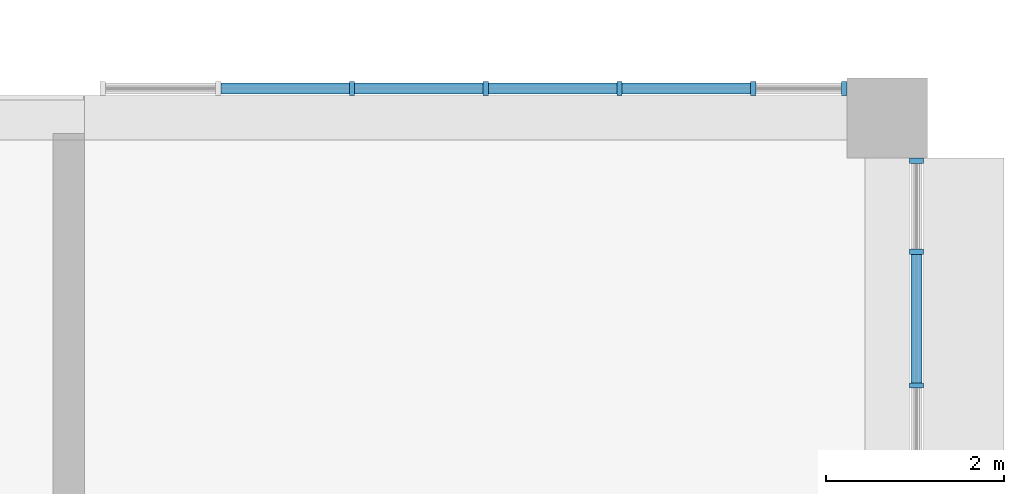
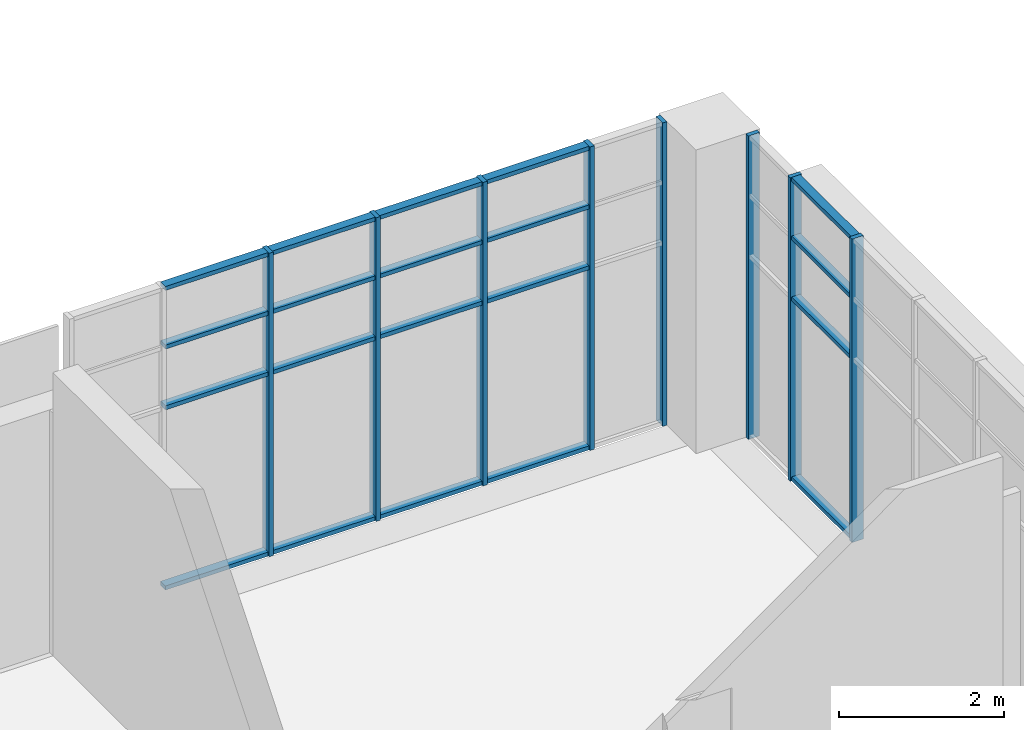
# One storey, part 37 of 79: 28 members, 2 elements without a shape of their own.
"""IFC4 building model written with IfcOpenShell, lengths in metres."""

from ifc_helpers import new_model, si_unit, direction, frame, origin, origin_2d, place, context, subcontext, project, spatial, rectangle, extrude, material, layer, layer_set, material_profile, profile_set, type_object, element, aggregate, save


model = new_model("IFC4")

# Units and contexts
model_context = context("Model", 3, precision=1e-05, world=origin(), true_north=direction((0.0, 1.0)))
body_context = subcontext(model_context, "Body", "Model", "MODEL_VIEW")
ifc_project = project(units=[si_unit("LENGTHUNIT", "METRE"), si_unit("AREAUNIT", "SQUARE_METRE"), si_unit("VOLUMEUNIT", "CUBIC_METRE"), si_unit("PLANEANGLEUNIT", "RADIAN"), si_unit("MASSUNIT", "GRAM", prefix="KILO")], contexts=[model_context])

# Site, building, storey
site_placement = place(None, origin())
site = spatial("IfcSite", under=ifc_project, at=site_placement, CompositionType="ELEMENT")
building_placement = place(site_placement, origin())
building = spatial("IfcBuilding", under=site, at=building_placement, Name="Guidao Yard Department Store", CompositionType="ELEMENT")
storey_placement = place(building_placement, frame((0.0, 0.0, 15.0)))
storey = spatial("IfcBuildingStorey", under=building, at=storey_placement, Name="L03", CompositionType="ELEMENT", Elevation=15.0)

# Curtain wall, members
ifc_material_1 = material(Name="Aluminium and glass", Category="aluminium")
ifc_layer = layer(ifc_material_1, 0.159912109375)
ifc_layer_set = layer_set([ifc_layer], Name="Unitised curtain wall CW4 1500 module")
curtain_wall_type = type_object("IfcCurtainWallType", Name="Unitised curtain wall CW4 1500 module", PredefinedType="NOTDEFINED", material=ifc_layer_set)
curtain_wall_1_placement = place(storey_placement, origin())
curtain_wall_1 = element("IfcCurtainWall", 1, at=curtain_wall_1_placement, inside=storey, type_object=curtain_wall_type, Name="Unitised curtain wall", PredefinedType="NOTDEFINED")
ifc_material_2 = material(Name="Aluminium 6063-T5", Category="aluminium")
ifc_material_profile_1 = material_profile(ifc_material_2, rectangle(XDim=0.06005859375, YDim=0.159912109375, at=origin_2d()), Name="Mullion M1 60 x 160 aluminium pressure plate")
ifc_profile_set_1 = profile_set([ifc_material_profile_1], Name="Aluminium 6063-T5")
member_type_1 = type_object("IfcMemberType", Name="Mullion M1 60 x 160 aluminium pressure plate", PredefinedType="MULLION", material=ifc_profile_set_1)
member_1_placement = place(storey_placement, frame((165.0, 27.330078125, 0.0), z_axis=(0.0, 0.0, 1.0), x_axis=(1.0, 0.0, 0.0)))
member_1 = element("IfcMember", 2, at=member_1_placement, type_object=member_type_1, Name="CW-OW-L03-08 mullion 3", PredefinedType="MULLION", context=body_context, shape_type="SweptSolid", body=[
    extrude(rectangle(XDim=0.06005859375, YDim=0.159912109375, at=origin_2d()), origin(), (0.0, 0.0, 1.0), 4.5),
])
member_2_placement = place(storey_placement, frame((166.5, 27.330078125, 0.0), z_axis=(0.0, 0.0, 1.0), x_axis=(1.0, 0.0, 0.0)))
member_2 = element("IfcMember", 3, at=member_2_placement, type_object=member_type_1, Name="CW-OW-L03-08 mullion 4", PredefinedType="MULLION", context=body_context, shape_type="SweptSolid", body=[
    extrude(rectangle(XDim=0.06005859375, YDim=0.159912109375, at=origin_2d()), origin(), (0.0, 0.0, 1.0), 4.5),
])
member_3_placement = place(storey_placement, frame((168.0, 27.330078125, 0.0), z_axis=(0.0, 0.0, 1.0), x_axis=(1.0, 0.0, 0.0)))
member_3 = element("IfcMember", 4, at=member_3_placement, type_object=member_type_1, Name="CW-OW-L03-08 mullion 5", PredefinedType="MULLION", context=body_context, shape_type="SweptSolid", body=[
    extrude(rectangle(XDim=0.06005859375, YDim=0.159912109375, at=origin_2d()), origin(), (0.0, 0.0, 1.0), 4.5),
])
member_4_placement = place(storey_placement, frame((169.5, 27.330078125, 0.0), z_axis=(0.0, 0.0, 1.0), x_axis=(1.0, 0.0, 0.0)))
member_4 = element("IfcMember", 5, at=member_4_placement, type_object=member_type_1, Name="CW-OW-L03-08 mullion 6", PredefinedType="MULLION", context=body_context, shape_type="SweptSolid", body=[
    extrude(rectangle(XDim=0.06005859375, YDim=0.159912109375, at=origin_2d()), origin(), (0.0, 0.0, 1.0), 4.5),
])
member_5_placement = place(storey_placement, frame((170.52001953125, 27.330078125, 0.0), z_axis=(0.0, 0.0, 1.0), x_axis=(1.0, 0.0, 0.0)))
member_5 = element("IfcMember", 6, at=member_5_placement, type_object=member_type_1, Name="CW-OW-L03-08 mullion 7", PredefinedType="MULLION", context=body_context, shape_type="SweptSolid", body=[
    extrude(rectangle(XDim=0.06005859375, YDim=0.159912109375, at=origin_2d()), origin(), (0.0, 0.0, 1.0), 4.5),
])

curtain_wall_2_placement = place(storey_placement, origin())
curtain_wall_2 = element("IfcCurtainWall", 7, at=curtain_wall_2_placement, inside=storey, type_object=curtain_wall_type, Name="Unitised curtain wall", PredefinedType="NOTDEFINED")
member_6_placement = place(storey_placement, frame((171.330078125, 24.0, 0.0), z_axis=(0.0, 0.0, 1.0), x_axis=(0.0, -1.0, 0.0)))
member_6 = element("IfcMember", 8, at=member_6_placement, type_object=member_type_1, Name="CW-OW-L03-11 mullion 5", PredefinedType="MULLION", context=body_context, shape_type="SweptSolid", body=[
    extrude(rectangle(XDim=0.06005859375, YDim=0.159912109375, at=origin_2d()), origin(), (0.0, 0.0, 1.0), 4.5),
])
member_7_placement = place(storey_placement, frame((171.330078125, 25.5, 0.0), z_axis=(0.0, 0.0, 1.0), x_axis=(0.0, -1.0, 0.0)))
member_7 = element("IfcMember", 9, at=member_7_placement, type_object=member_type_1, Name="CW-OW-L03-11 mullion 6", PredefinedType="MULLION", context=body_context, shape_type="SweptSolid", body=[
    extrude(rectangle(XDim=0.06005859375, YDim=0.159912109375, at=origin_2d()), origin(), (0.0, 0.0, 1.0), 4.5),
])
member_8_placement = place(storey_placement, frame((171.330078125, 26.52001953125, 0.0), z_axis=(0.0, 0.0, 1.0), x_axis=(0.0, -1.0, 0.0)))
member_8 = element("IfcMember", 10, at=member_8_placement, type_object=member_type_1, Name="CW-OW-L03-11 mullion 7", PredefinedType="MULLION", context=body_context, shape_type="SweptSolid", body=[
    extrude(rectangle(XDim=0.06005859375, YDim=0.159912109375, at=origin_2d()), origin(), (0.0, 0.0, 1.0), 4.5),
])

# Member
ifc_material_3 = material(Name="Aluminium 6063-T5", Category="aluminium")
ifc_material_profile_2 = material_profile(ifc_material_3, rectangle(XDim=0.1201171875, YDim=0.06005859375, at=origin_2d()), Name="Transom T1 60 x 120 aluminium pressure plate")
ifc_profile_set_2 = profile_set([ifc_material_profile_2], Name="Aluminium 6063-T5")
member_type_2 = type_object("IfcMemberType", Name="Transom T1 60 x 120 aluminium pressure plate", PredefinedType="USERDEFINED", material=ifc_profile_set_2)
member_9_placement = place(storey_placement, frame((163.530029296875, 27.330078125, 0.030029296875), z_axis=(1.0, 0.0, 0.0), x_axis=(0.0, 1.0, 0.0)))
member_9 = element("IfcMember", 11, at=member_9_placement, type_object=member_type_2, Name="CW-OW-L03-08 transom 2.1", ObjectType="TRANSOM", PredefinedType="USERDEFINED", context=body_context, shape_type="SweptSolid", body=[
    extrude(rectangle(XDim=0.1201171875, YDim=0.06005859375, at=origin_2d()), origin(), (0.0, 0.0, 1.0), 1.43994140625),
])

member_10_placement = place(storey_placement, frame((163.530029296875, 27.330078125, 2.699951171875), z_axis=(1.0, 0.0, 0.0), x_axis=(0.0, 1.0, 0.0)))
member_10 = element("IfcMember", 12, at=member_10_placement, type_object=member_type_2, Name="CW-OW-L03-08 transom 2.2", ObjectType="TRANSOM", PredefinedType="USERDEFINED", context=body_context, shape_type="SweptSolid", body=[
    extrude(rectangle(XDim=0.1201171875, YDim=0.06005859375, at=origin_2d()), origin(), (0.0, 0.0, 1.0), 1.43994140625),
])

member_11_placement = place(storey_placement, frame((163.530029296875, 27.330078125, 3.60009765625), z_axis=(1.0, 0.0, 0.0), x_axis=(0.0, 1.0, 0.0)))
member_11 = element("IfcMember", 13, at=member_11_placement, type_object=member_type_2, Name="CW-OW-L03-08 transom 2.3", ObjectType="TRANSOM", PredefinedType="USERDEFINED", context=body_context, shape_type="SweptSolid", body=[
    extrude(rectangle(XDim=0.1201171875, YDim=0.06005859375, at=origin_2d()), origin(), (0.0, 0.0, 1.0), 1.43994140625),
])

member_12_placement = place(storey_placement, frame((163.530029296875, 27.330078125, 4.469970703125), z_axis=(1.0, 0.0, 0.0), x_axis=(0.0, 1.0, 0.0)))
member_12 = element("IfcMember", 14, at=member_12_placement, type_object=member_type_2, Name="CW-OW-L03-08 transom 2.4", ObjectType="TRANSOM", PredefinedType="USERDEFINED", context=body_context, shape_type="SweptSolid", body=[
    extrude(rectangle(XDim=0.1201171875, YDim=0.06005859375, at=origin_2d()), origin(), (0.0, 0.0, 1.0), 1.43994140625),
])

member_13_placement = place(storey_placement, frame((165.030029296875, 27.330078125, 0.030029296875), z_axis=(1.0, 0.0, 0.0), x_axis=(0.0, 1.0, 0.0)))
member_13 = element("IfcMember", 15, at=member_13_placement, type_object=member_type_2, Name="CW-OW-L03-08 transom 3.1", ObjectType="TRANSOM", PredefinedType="USERDEFINED", context=body_context, shape_type="SweptSolid", body=[
    extrude(rectangle(XDim=0.1201171875, YDim=0.06005859375, at=origin_2d()), origin(), (0.0, 0.0, 1.0), 1.43994140625),
])

member_14_placement = place(storey_placement, frame((165.030029296875, 27.330078125, 2.699951171875), z_axis=(1.0, 0.0, 0.0), x_axis=(0.0, 1.0, 0.0)))
member_14 = element("IfcMember", 16, at=member_14_placement, type_object=member_type_2, Name="CW-OW-L03-08 transom 3.2", ObjectType="TRANSOM", PredefinedType="USERDEFINED", context=body_context, shape_type="SweptSolid", body=[
    extrude(rectangle(XDim=0.1201171875, YDim=0.06005859375, at=origin_2d()), origin(), (0.0, 0.0, 1.0), 1.43994140625),
])

member_15_placement = place(storey_placement, frame((165.030029296875, 27.330078125, 3.60009765625), z_axis=(1.0, 0.0, 0.0), x_axis=(0.0, 1.0, 0.0)))
member_15 = element("IfcMember", 17, at=member_15_placement, type_object=member_type_2, Name="CW-OW-L03-08 transom 3.3", ObjectType="TRANSOM", PredefinedType="USERDEFINED", context=body_context, shape_type="SweptSolid", body=[
    extrude(rectangle(XDim=0.1201171875, YDim=0.06005859375, at=origin_2d()), origin(), (0.0, 0.0, 1.0), 1.43994140625),
])

member_16_placement = place(storey_placement, frame((165.030029296875, 27.330078125, 4.469970703125), z_axis=(1.0, 0.0, 0.0), x_axis=(0.0, 1.0, 0.0)))
member_16 = element("IfcMember", 18, at=member_16_placement, type_object=member_type_2, Name="CW-OW-L03-08 transom 3.4", ObjectType="TRANSOM", PredefinedType="USERDEFINED", context=body_context, shape_type="SweptSolid", body=[
    extrude(rectangle(XDim=0.1201171875, YDim=0.06005859375, at=origin_2d()), origin(), (0.0, 0.0, 1.0), 1.43994140625),
])

member_17_placement = place(storey_placement, frame((166.530029296875, 27.330078125, 0.030029296875), z_axis=(1.0, 0.0, 0.0), x_axis=(0.0, 1.0, 0.0)))
member_17 = element("IfcMember", 19, at=member_17_placement, type_object=member_type_2, Name="CW-OW-L03-08 transom 4.1", ObjectType="TRANSOM", PredefinedType="USERDEFINED", context=body_context, shape_type="SweptSolid", body=[
    extrude(rectangle(XDim=0.1201171875, YDim=0.06005859375, at=origin_2d()), origin(), (0.0, 0.0, 1.0), 1.43994140625),
])

member_18_placement = place(storey_placement, frame((166.530029296875, 27.330078125, 2.699951171875), z_axis=(1.0, 0.0, 0.0), x_axis=(0.0, 1.0, 0.0)))
member_18 = element("IfcMember", 20, at=member_18_placement, type_object=member_type_2, Name="CW-OW-L03-08 transom 4.2", ObjectType="TRANSOM", PredefinedType="USERDEFINED", context=body_context, shape_type="SweptSolid", body=[
    extrude(rectangle(XDim=0.1201171875, YDim=0.06005859375, at=origin_2d()), origin(), (0.0, 0.0, 1.0), 1.43994140625),
])

member_19_placement = place(storey_placement, frame((166.530029296875, 27.330078125, 3.60009765625), z_axis=(1.0, 0.0, 0.0), x_axis=(0.0, 1.0, 0.0)))
member_19 = element("IfcMember", 21, at=member_19_placement, type_object=member_type_2, Name="CW-OW-L03-08 transom 4.3", ObjectType="TRANSOM", PredefinedType="USERDEFINED", context=body_context, shape_type="SweptSolid", body=[
    extrude(rectangle(XDim=0.1201171875, YDim=0.06005859375, at=origin_2d()), origin(), (0.0, 0.0, 1.0), 1.43994140625),
])

member_20_placement = place(storey_placement, frame((166.530029296875, 27.330078125, 4.469970703125), z_axis=(1.0, 0.0, 0.0), x_axis=(0.0, 1.0, 0.0)))
member_20 = element("IfcMember", 22, at=member_20_placement, type_object=member_type_2, Name="CW-OW-L03-08 transom 4.4", ObjectType="TRANSOM", PredefinedType="USERDEFINED", context=body_context, shape_type="SweptSolid", body=[
    extrude(rectangle(XDim=0.1201171875, YDim=0.06005859375, at=origin_2d()), origin(), (0.0, 0.0, 1.0), 1.43994140625),
])

member_21_placement = place(storey_placement, frame((168.030029296875, 27.330078125, 0.030029296875), z_axis=(1.0, 0.0, 0.0), x_axis=(0.0, 1.0, 0.0)))
member_21 = element("IfcMember", 23, at=member_21_placement, type_object=member_type_2, Name="CW-OW-L03-08 transom 5.1", ObjectType="TRANSOM", PredefinedType="USERDEFINED", context=body_context, shape_type="SweptSolid", body=[
    extrude(rectangle(XDim=0.1201171875, YDim=0.06005859375, at=origin_2d()), origin(), (0.0, 0.0, 1.0), 1.43994140625),
])

member_22_placement = place(storey_placement, frame((168.030029296875, 27.330078125, 2.699951171875), z_axis=(1.0, 0.0, 0.0), x_axis=(0.0, 1.0, 0.0)))
member_22 = element("IfcMember", 24, at=member_22_placement, type_object=member_type_2, Name="CW-OW-L03-08 transom 5.2", ObjectType="TRANSOM", PredefinedType="USERDEFINED", context=body_context, shape_type="SweptSolid", body=[
    extrude(rectangle(XDim=0.1201171875, YDim=0.06005859375, at=origin_2d()), origin(), (0.0, 0.0, 1.0), 1.43994140625),
])

member_23_placement = place(storey_placement, frame((168.030029296875, 27.330078125, 3.60009765625), z_axis=(1.0, 0.0, 0.0), x_axis=(0.0, 1.0, 0.0)))
member_23 = element("IfcMember", 25, at=member_23_placement, type_object=member_type_2, Name="CW-OW-L03-08 transom 5.3", ObjectType="TRANSOM", PredefinedType="USERDEFINED", context=body_context, shape_type="SweptSolid", body=[
    extrude(rectangle(XDim=0.1201171875, YDim=0.06005859375, at=origin_2d()), origin(), (0.0, 0.0, 1.0), 1.43994140625),
])

member_24_placement = place(storey_placement, frame((168.030029296875, 27.330078125, 4.469970703125), z_axis=(1.0, 0.0, 0.0), x_axis=(0.0, 1.0, 0.0)))
member_24 = element("IfcMember", 26, at=member_24_placement, type_object=member_type_2, Name="CW-OW-L03-08 transom 5.4", ObjectType="TRANSOM", PredefinedType="USERDEFINED", context=body_context, shape_type="SweptSolid", body=[
    extrude(rectangle(XDim=0.1201171875, YDim=0.06005859375, at=origin_2d()), origin(), (0.0, 0.0, 1.0), 1.43994140625),
])

aggregate(curtain_wall_1, [member_1, member_2, member_3, member_4, member_5, member_9, member_10, member_11, member_12, member_13, member_14, member_15, member_16, member_17, member_18, member_19, member_20, member_21, member_22, member_23, member_24])

member_25_placement = place(storey_placement, frame((171.330078125, 25.469970703125, 0.030029296875), z_axis=(0.0, -1.0, 0.0), x_axis=(1.0, 0.0, 0.0)))
member_25 = element("IfcMember", 27, at=member_25_placement, type_object=member_type_2, Name="CW-OW-L03-11 transom 5.1", ObjectType="TRANSOM", PredefinedType="USERDEFINED", context=body_context, shape_type="SweptSolid", body=[
    extrude(rectangle(XDim=0.1201171875, YDim=0.06005859375, at=origin_2d()), origin(), (0.0, 0.0, 1.0), 1.43994140625),
])

member_26_placement = place(storey_placement, frame((171.330078125, 25.469970703125, 2.699951171875), z_axis=(0.0, -1.0, 0.0), x_axis=(1.0, 0.0, 0.0)))
member_26 = element("IfcMember", 28, at=member_26_placement, type_object=member_type_2, Name="CW-OW-L03-11 transom 5.2", ObjectType="TRANSOM", PredefinedType="USERDEFINED", context=body_context, shape_type="SweptSolid", body=[
    extrude(rectangle(XDim=0.1201171875, YDim=0.06005859375, at=origin_2d()), origin(), (0.0, 0.0, 1.0), 1.43994140625),
])

member_27_placement = place(storey_placement, frame((171.330078125, 25.469970703125, 3.60009765625), z_axis=(0.0, -1.0, 0.0), x_axis=(1.0, 0.0, 0.0)))
member_27 = element("IfcMember", 29, at=member_27_placement, type_object=member_type_2, Name="CW-OW-L03-11 transom 5.3", ObjectType="TRANSOM", PredefinedType="USERDEFINED", context=body_context, shape_type="SweptSolid", body=[
    extrude(rectangle(XDim=0.1201171875, YDim=0.06005859375, at=origin_2d()), origin(), (0.0, 0.0, 1.0), 1.43994140625),
])

member_28_placement = place(storey_placement, frame((171.330078125, 25.469970703125, 4.469970703125), z_axis=(0.0, -1.0, 0.0), x_axis=(1.0, 0.0, 0.0)))
member_28 = element("IfcMember", 30, at=member_28_placement, type_object=member_type_2, Name="CW-OW-L03-11 transom 5.4", ObjectType="TRANSOM", PredefinedType="USERDEFINED", context=body_context, shape_type="SweptSolid", body=[
    extrude(rectangle(XDim=0.1201171875, YDim=0.06005859375, at=origin_2d()), origin(), (0.0, 0.0, 1.0), 1.43994140625),
])

aggregate(curtain_wall_2, [member_6, member_7, member_8, member_25, member_26, member_27, member_28])

save(model, "model.ifc")
